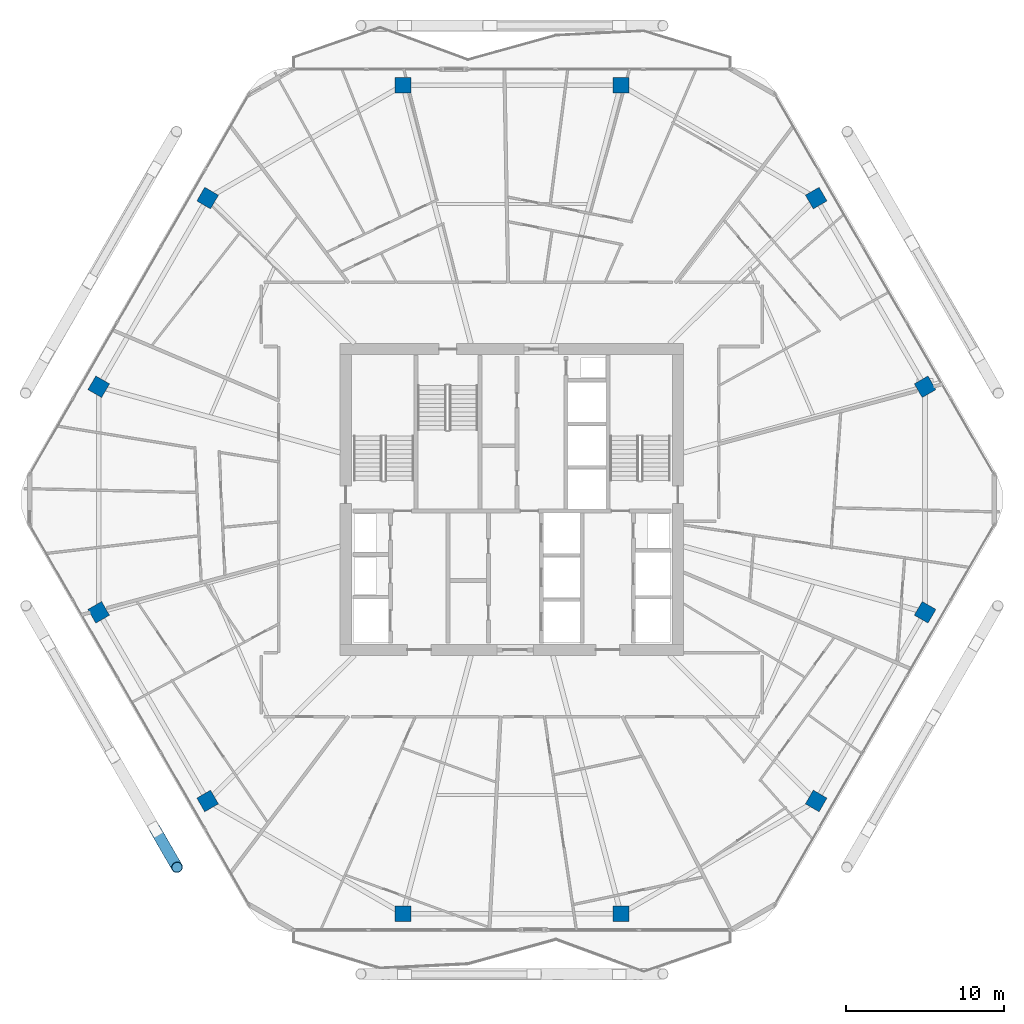
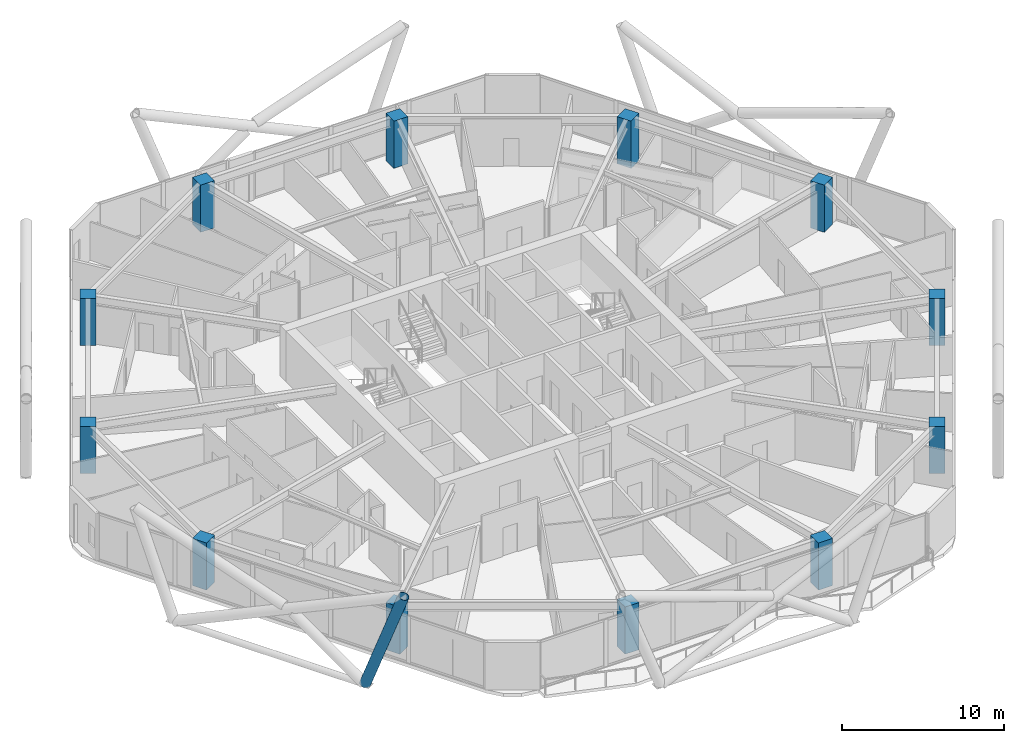
# One storey, part 1 of 29: 12 columns, 1 member.
"""IFC4 building model written with IfcOpenShell, lengths in metres."""

from ifc_helpers import new_model, si_unit, direction, frame, origin, origin_2d, place, context, subcontext, project, spatial, rectangle, hollow_circle, extrude, material, material_profile, profile_set, type_object, element, save


model = new_model("IFC4")

# Units and contexts
model_context = context("Model", 3, precision=1e-05, world=origin(), true_north=direction((0.0, 1.0)))
body_context = subcontext(model_context, "Body", "Model", "MODEL_VIEW")
ifc_project = project(units=[si_unit("LENGTHUNIT", "METRE"), si_unit("AREAUNIT", "SQUARE_METRE"), si_unit("VOLUMEUNIT", "CUBIC_METRE"), si_unit("PLANEANGLEUNIT", "RADIAN"), si_unit("MASSUNIT", "GRAM", prefix="KILO")], contexts=[model_context])

# Site, building, storey
site_placement = place(None, origin())
site = spatial("IfcSite", under=ifc_project, at=site_placement, CompositionType="ELEMENT")
building_placement = place(site_placement, origin())
building = spatial("IfcBuilding", under=site, at=building_placement, Name="Zuhravey Tower", CompositionType="ELEMENT")
storey_placement = place(building_placement, frame((0.0, 0.0, 184.60009765625)))
storey = spatial("IfcBuildingStorey", under=building, at=storey_placement, Name="L46", CompositionType="ELEMENT", Elevation=184.60009765625)

# Columns
ifc_material_1 = material(Name="Concrete C60/75", Category="concrete")
ifc_material_profile_1 = material_profile(ifc_material_1, rectangle(XDim=1.0, YDim=1.0, at=origin_2d()), Name="RC-1000x1000")
ifc_profile_set_1 = profile_set([ifc_material_profile_1], Name="Concrete C60/75")
column_type = type_object("IfcColumnType", Name="Zone 2 Perimeter Column 1000x1000", PredefinedType="COLUMN", material=ifc_profile_set_1)
for number, where, z_axis, x_axis, name in (
    (1, (62.107666015625, 39.12646484375, 0.0), (0.0, 0.0, 1.0), (-0.5, 0.866025403784, 0.0), "L46 Perimeter Column PC01"),
    (2, (55.2255859375, 51.046630859375, 0.0), (0.0, 0.0, 1.0), (-0.5, 0.866025403784, 0.0), "L46 Perimeter Column PC02"),
    (3, (42.882080078125, 58.173095703125, 0.0), (0.0, 0.0, 1.0), (-1.0, 0.0, 0.0), "L46 Perimeter Column PC03"),
    (4, (29.117919921875, 58.173095703125, 0.0), (0.0, 0.0, 1.0), (-1.0, 0.0, 0.0), "L46 Perimeter Column PC04"),
    (5, (16.7744140625, 51.046630859375, 0.0), (0.0, 0.0, 1.0), (-0.5, -0.866025403784, 0.0), "L46 Perimeter Column PC05"),
    (6, (9.892333984375, 39.12646484375, 0.0), (0.0, 0.0, 1.0), (-0.5, -0.866025403784, 0.0), "L46 Perimeter Column PC06"),
    (7, (9.892333984375, 24.87353515625, 0.0), (0.0, 0.0, 1.0), (0.5, -0.866025403784, 0.0), "L46 Perimeter Column PC07"),
    (8, (16.7744140625, 12.953369140625, 0.0), (0.0, 0.0, 1.0), (0.5, -0.866025403784, 0.0), "L46 Perimeter Column PC08"),
    (9, (29.117919921875, 5.826904296875, 0.0), (0.0, 0.0, 1.0), (1.0, 0.0, 0.0), "L46 Perimeter Column PC09"),
    (10, (42.882080078125, 5.826904296875, 0.0), (0.0, 0.0, 1.0), (1.0, 0.0, 0.0), "L46 Perimeter Column PC10"),
    (11, (55.2255859375, 12.953369140625, 0.0), (0.0, 0.0, 1.0), (0.5, 0.866025403784, 0.0), "L46 Perimeter Column PC11"),
    (12, (62.107666015625, 24.87353515625, 0.0), (0.0, 0.0, 1.0), (0.5, 0.866025403784, 0.0), "L46 Perimeter Column PC12"),
):
    element("IfcColumn", number, at=place(storey_placement, frame(where, z_axis=z_axis, x_axis=x_axis)), inside=storey, type_object=column_type, Name=name, PredefinedType="COLUMN", context=body_context, shape_type="SweptSolid", body=[
        extrude(rectangle(XDim=1.0, YDim=1.0, at=origin_2d()), origin(), (0.0, 0.0, 1.0), 3.5498046875),
    ])

# Member
ifc_material_2 = material(Name="Steel SM460", Category="steel")
ifc_material_profile_2 = material_profile(ifc_material_2, hollow_circle(Radius=0.355712890625, WallThickness=0.031982421875, at=origin_2d()), Name="CHS-711.2x32")
ifc_profile_set_2 = profile_set([ifc_material_profile_2], Name="Steel SM460")
member_type = type_object("IfcMemberType", Name="Exoskeleton Zone 2 Diagrid CHS711x32", PredefinedType="BRACE", material=ifc_profile_set_2)
member_placement = place(storey_placement, frame((13.462646484375, 11.149658203125, -0.444091796875), z_axis=(0.171428917165, -0.296929081792, 0.939385568734), x_axis=(0.866029404905, 0.499993069792, 0.0)))
element("IfcMember", 13, at=member_placement, inside=storey, type_object=member_type, Name="L46 Face 4 Diagrid Brace 4", PredefinedType="BRACE", context=body_context, shape_type="SweptSolid", body=[
    extrude(hollow_circle(Radius=0.355712890625, WallThickness=0.031982421875, at=origin_2d()), origin(), (0.0, 0.0, 1.0), 8.0478515625),
])

save(model, "model.ifc")
